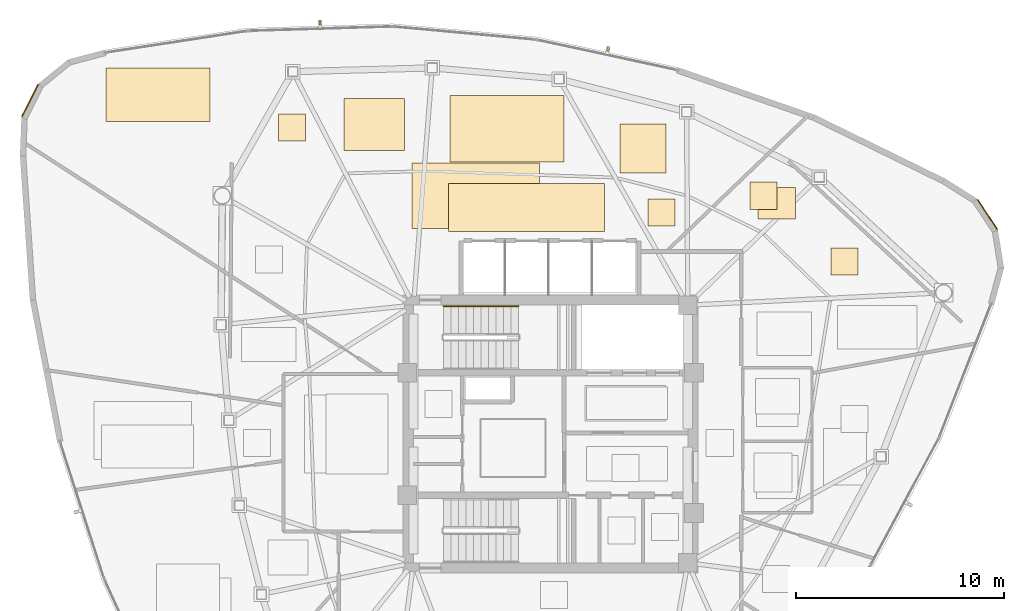
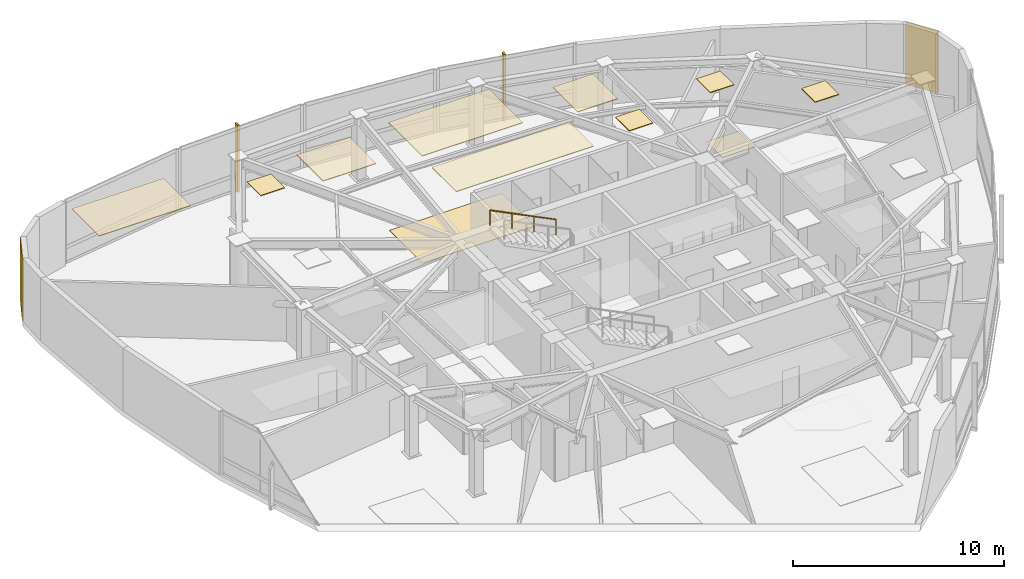
# One storey, part 14 of 14: 13 coverings, 2 shading devices, 1 railing.
"""IFC4 building model written with IfcOpenShell, lengths in metres."""

import ifcopenshell
import ifcopenshell.guid

model = None  # the IFC model being written
_history = None  # IfcOwnerHistory: only IFC2X3 demands one
_inside = {}  # id of a spatial element -> (the spatial element, [elements in it])
_under = {}  # id of a project, library or spatial element -> (it, [spatial elements below it])
_declared = {}  # id of a project -> (the project, [libraries it declares])
_typed = {}  # id of a type object -> (the type object, [elements of that type])
_made_of = {}  # id of a material, layer set ... -> (it, [elements and type objects made of it])


def new_model(schema):
    """Start an empty IFC model of exactly this schema.

    Asked for "IFC4X3", IfcOpenShell would pick the latest addendum, in which some entities
    have other attributes; the version numbers below select the first issue.
    IFC2X3 requires an IfcOwnerHistory on every rooted entity: one is made here for all.
    """
    global model, _history
    if schema == "IFC4X3":
        model = ifcopenshell.file(schema_version=(4, 3, 0, 0))
    else:
        model = ifcopenshell.file(schema=schema)
    _inside.clear()
    _under.clear()
    _declared.clear()
    _typed.clear()
    _made_of.clear()
    _history = None
    if model.schema == "IFC2X3":
        org = make("IfcOrganization", Name="unknown")
        user = make(
            "IfcPersonAndOrganization",
            ThePerson=make("IfcPerson", FamilyName="unknown"),
            TheOrganization=org,
        )
        app = make(
            "IfcApplication",
            ApplicationDeveloper=org,
            Version="unknown",
            ApplicationFullName="unknown",
            ApplicationIdentifier="unknown",
        )
        _history = make(
            "IfcOwnerHistory",
            OwningUser=user,
            OwningApplication=app,
            ChangeAction="ADDED",
            CreationDate=0,
        )
    return model


def make(cls, **values):
    """One entity of the class cls with the attributes given. An attribute that is None is left unset."""
    return model.create_entity(
        cls, **{name: value for name, value in values.items() if value is not None}
    )


def rooted(cls, **values):
    """An entity with a GlobalId (a new one), such as an element, a storey or a relation."""
    return make(cls, GlobalId=ifcopenshell.guid.new(), OwnerHistory=_history, **values)


def si_unit(unit_type, name, prefix=None):
    """IfcSIUnit, for example si_unit("LENGTHUNIT", "METRE", prefix="MILLI")."""
    return make("IfcSIUnit", UnitType=unit_type, Prefix=prefix, Name=name)


def assignment(units):
    """IfcUnitAssignment: the units of a project."""
    return None if units is None else make("IfcUnitAssignment", Units=units)


def point(xyz):
    """IfcCartesianPoint."""
    return None if xyz is None else make("IfcCartesianPoint", Coordinates=xyz)


def direction(xyz):
    """IfcDirection."""
    return None if xyz is None else make("IfcDirection", DirectionRatios=xyz)


def frame(location, z_axis=None, x_axis=None):
    """IfcAxis2Placement3D, a coordinate frame: its origin and axes. An axis left out is left unset."""
    return make(
        "IfcAxis2Placement3D",
        Location=point(location),
        Axis=direction(z_axis),
        RefDirection=direction(x_axis),
    )


def frame_2d(location, x_axis=None):
    """IfcAxis2Placement2D, a coordinate frame in the plane: its origin and x axis."""
    return make(
        "IfcAxis2Placement2D", Location=point(location), RefDirection=direction(x_axis)
    )


def origin():
    """The frame at (0, 0, 0) with its axes left unset."""
    return frame((0.0, 0.0, 0.0))


def origin_2d():
    """The frame at (0, 0) in the plane with its x axis left unset."""
    return frame_2d((0.0, 0.0))


def place(relative_to, where):
    """IfcLocalPlacement: puts the frame where relative to a parent placement (None: the world)."""
    return make(
        "IfcLocalPlacement", PlacementRelTo=relative_to, RelativePlacement=where
    )


def context(
    kind, dimensions, precision=None, world=None, true_north=None, identifier=None
):
    """IfcGeometricRepresentationContext, for example the 3D "Model" context."""
    return make(
        "IfcGeometricRepresentationContext",
        ContextIdentifier=identifier,
        ContextType=kind,
        CoordinateSpaceDimension=dimensions,
        Precision=precision,
        WorldCoordinateSystem=world,
        TrueNorth=true_north,
    )


def subcontext(parent, identifier, kind, view, scale=None):
    """IfcGeometricRepresentationSubContext, for example "Body" below "Model"."""
    return make(
        "IfcGeometricRepresentationSubContext",
        ContextIdentifier=identifier,
        ContextType=kind,
        ParentContext=parent,
        TargetScale=scale,
        TargetView=view,
    )


def project(units=None, contexts=None):
    """IfcProject with its units and contexts."""
    return rooted(
        "IfcProject",
        Name="project",
        RepresentationContexts=contexts,
        UnitsInContext=assignment(units),
    )


def spatial(cls, under=None, at=None, **own):
    """A site, building, storey or space (cls), placed at a placement, below another one or the project."""
    s = rooted(cls, ObjectPlacement=at, **own)
    if under is not None:
        _under.setdefault(under.id(), (under, []))[1].append(s)
    return s


def polyline(points):
    """IfcPolyline through the points."""
    return make("IfcPolyline", Points=[point(p) for p in points])


def profile(cls, at=None, kind="AREA", **sizes):
    """A parametric profile (cls). Its sizes go by their IFC names, for example OverallWidth=200.0."""
    return make(cls, ProfileType=kind, Position=at, **sizes)


def rectangle(**sizes):
    """IfcRectangleProfileDef."""
    return profile("IfcRectangleProfileDef", **sizes)


def outline(outer, holes=None, kind="AREA"):
    """IfcArbitraryClosedProfileDef: a profile drawn as a closed curve; with holes, ...WithVoids."""
    if holes is None:
        return make("IfcArbitraryClosedProfileDef", ProfileType=kind, OuterCurve=outer)
    return make(
        "IfcArbitraryProfileDefWithVoids",
        ProfileType=kind,
        OuterCurve=outer,
        InnerCurves=holes,
    )


def extrude(swept, where, along, depth):
    """IfcExtrudedAreaSolid: the profile swept, set in the frame where, extruded along a direction by depth."""
    return make(
        "IfcExtrudedAreaSolid",
        SweptArea=swept,
        Position=where,
        ExtrudedDirection=direction(along),
        Depth=depth,
    )


def shape(context_of_items, identifier, shape_type, items):
    """IfcShapeRepresentation: the items that make up one representation, for example the "Body"."""
    return make(
        "IfcShapeRepresentation",
        ContextOfItems=context_of_items,
        RepresentationIdentifier=identifier,
        RepresentationType=shape_type,
        Items=items,
    )


def source(mapping_origin, context_of_items, identifier, shape_type, items):
    """IfcRepresentationMap: a shape defined once, which mapped items show again and again."""
    return make(
        "IfcRepresentationMap",
        MappingOrigin=mapping_origin,
        MappedRepresentation=shape(context_of_items, identifier, shape_type, items),
    )


def transform(
    local_origin,
    x_axis=None,
    y_axis=None,
    z_axis=None,
    scale=None,
    scale2=None,
    scale3=None,
    uniform=True,
):
    """IfcCartesianTransformationOperator3D, or its non-uniform kind. x_axis, y_axis, z_axis: its Axis1, 2, 3."""
    if uniform:
        return make(
            "IfcCartesianTransformationOperator3D",
            Axis1=direction(x_axis),
            Axis2=direction(y_axis),
            LocalOrigin=point(local_origin),
            Scale=scale,
            Axis3=direction(z_axis),
        )
    return make(
        "IfcCartesianTransformationOperator3DnonUniform",
        Axis1=direction(x_axis),
        Axis2=direction(y_axis),
        LocalOrigin=point(local_origin),
        Scale=scale,
        Axis3=direction(z_axis),
        Scale2=scale2,
        Scale3=scale3,
    )


def mapped(mapping_source, mapping_target):
    """IfcMappedItem: shows the shape of a source again, moved by a transform."""
    return make(
        "IfcMappedItem", MappingSource=mapping_source, MappingTarget=mapping_target
    )


def material(Name=None, Category=None):
    """IfcMaterial."""
    return make("IfcMaterial", Name=Name, Category=Category)


def layer(
    of_material, thickness, ventilated=None, Name=None, Category=None, Priority=None
):
    """IfcMaterialLayer: one layer of a wall or slab, of a material (None: an air gap)."""
    return make(
        "IfcMaterialLayer",
        Material=of_material,
        LayerThickness=thickness,
        IsVentilated=ventilated,
        Name=Name,
        Category=Category,
        Priority=Priority,
    )


def layer_set(layers, Name=None):
    """IfcMaterialLayerSet."""
    return make("IfcMaterialLayerSet", MaterialLayers=layers, LayerSetName=Name)


def made_of(thing, what):
    """Note that an element or type object is made of a material, layer set ...; save() writes the relation."""
    if what is not None:
        _made_of.setdefault(what.id(), (what, []))[1].append(thing)
    return thing


def type_object(cls, material=None, **own):
    """A type object (cls), such as IfcWallType, which elements share."""
    return made_of(rooted(cls, **own), material)


def type_shapes(of_type, sources):
    """Give a type object the sources (RepresentationMaps) that its elements show as mapped items."""
    of_type.RepresentationMaps = sources


def element(
    cls,
    number,
    at=None,
    inside=None,
    cuts=None,
    type_object=None,
    material=None,
    context=None,
    identifier="Body",
    shape_type=None,
    held_by="IfcProductDefinitionShape",
    body=None,
    shapes=None,
    **own,
):
    """One element of the class cls, such as IfcWall. Its Tag is "e" and its number.

    at: its placement. inside: the storey or other place that contains it. cuts: it is an
    opening in that element (IfcRelVoidsElement). A single representation is given by context,
    identifier, shape_type and body (its items); several are given by shapes. held_by: the class
    of the entity that holds the representations. save() writes the other relations.
    """
    e = rooted(cls, Tag="e%d" % number, ObjectPlacement=at, **own)
    if body is not None:
        shapes = [shape(context, identifier, shape_type, body)]
    if shapes is not None:
        e.Representation = make(held_by, Representations=shapes)
    if inside is not None:
        _inside.setdefault(inside.id(), (inside, []))[1].append(e)
    if cuts is not None:
        rooted(
            "IfcRelVoidsElement", RelatingBuildingElement=cuts, RelatedOpeningElement=e
        )
    if type_object is not None:
        _typed.setdefault(type_object.id(), (type_object, []))[1].append(e)
    return made_of(e, material)


def aggregate(whole, parts):
    """IfcRelAggregates: a whole, such as a stair, and the parts it consists of."""
    return rooted("IfcRelAggregates", RelatingObject=whole, RelatedObjects=parts)


def save(model, path):
    """Write the relations noted so far, then the file.

    IfcRelAggregates (storeys below a building ...), IfcRelContainedInSpatialStructure (elements
    in a storey), IfcRelDefinesByType, IfcRelAssociatesMaterial and IfcRelDeclares: one each for
    every whole, place, type object, material and project.
    """
    for whole, parts in _under.values():
        aggregate(whole, parts)
    for where, things in _inside.values():
        rooted(
            "IfcRelContainedInSpatialStructure",
            RelatedElements=things,
            RelatingStructure=where,
        )
    for kind, things in _typed.values():
        rooted("IfcRelDefinesByType", RelatedObjects=things, RelatingType=kind)
    for what, things in _made_of.values():
        rooted("IfcRelAssociatesMaterial", RelatedObjects=things, RelatingMaterial=what)
    for by, libraries in _declared.values():
        rooted("IfcRelDeclares", RelatingContext=by, RelatedDefinitions=libraries)
    model.write(path)


model = new_model("IFC4")

# Units and contexts
model_context = context("Model", 3, precision=1e-05, world=origin(), true_north=direction((0.0, 1.0)))
body_context = subcontext(model_context, "Body", "Model", "MODEL_VIEW")
ifc_project = project(units=[si_unit("LENGTHUNIT", "METRE"), si_unit("AREAUNIT", "SQUARE_METRE"), si_unit("VOLUMEUNIT", "CUBIC_METRE"), si_unit("PLANEANGLEUNIT", "RADIAN"), si_unit("MASSUNIT", "GRAM", prefix="KILO")], contexts=[model_context])

# Site, building, storey
site_placement = place(None, origin())
site = spatial("IfcSite", under=ifc_project, at=site_placement, CompositionType="ELEMENT")
building_placement = place(site_placement, origin())
building = spatial("IfcBuilding", under=site, at=building_placement, Name="Tavelor Broadcast Tower", CompositionType="ELEMENT")
storey_placement = place(building_placement, frame((0.0, 0.0, 257.699951171875)))
storey = spatial("IfcBuildingStorey", under=building, at=storey_placement, Name="L61", CompositionType="ELEMENT", Elevation=257.699951171875)

# Coverings
ifc_material_1 = material(Name="Copper-Bronze Anodized Aluminium", Category="aluminium")
ifc_layer_1 = layer(ifc_material_1, 0.050048828125)
ifc_layer_set_1 = layer_set([ifc_layer_1], Name="Copper-Bronze Anodized Aluminium")
covering_type_1 = type_object("IfcCoveringType", Name="Champagne-Bronze Corner Pier Metal Cladding 50 mm", PredefinedType="CLADDING", material=ifc_layer_set_1)
for number, where, z_axis, x_axis, name in (
    (1, (24.9404296875, 61.046142578125, 0.02001953125), (0.0, 0.0, 1.0), (-0.446978620671, -0.894544639838, 0.0), "L61 Champagne-Bronze Corner Cladding 03"),
    (2, (71.026123046875, 55.5615234375, 0.02001953125), (0.0, 0.0, 1.0), (-0.551209072583, 0.834367160369, 0.0), "L61 Champagne-Bronze Corner Cladding 23"),
):
    element("IfcCovering", number, at=place(storey_placement, frame(where, z_axis=z_axis, x_axis=x_axis)), inside=storey, type_object=covering_type_1, Name=name, PredefinedType="CLADDING", context=body_context, shape_type="SweptSolid", body=[
        extrude(rectangle(XDim=1.730224609375, YDim=0.050048828125, at=origin_2d()), origin(), (0.0, 0.0, 1.0), 3.610107421875),
    ])

# Railing
ifc_material_2 = material(Name="Steel S355", Category="steel")
railing_type = type_object("IfcRailingType", Name="Continuous Brushed Stainless Handrail 900 mm", PredefinedType="HANDRAIL", material=ifc_material_2)
railing_placement = place(storey_placement, frame((48.449951171875, 51.14990234375, 2.154541015625)))
element("IfcRailing", 3, at=railing_placement, inside=storey, type_object=railing_type, Name="L61 ST1 stair handrail 2", PredefinedType="HANDRAIL", context=body_context, shape_type="SweptSolid", body=[
    extrude(rectangle(XDim=0.048095703125, YDim=0.048095703125, at=origin_2d()), frame((0.0, 0.0, 0.8759765625), z_axis=(-0.894875846893, 0.0, 0.446315156192), x_axis=(0.0, -1.0, 0.0)), (0.0, 0.0, 1.0), 4.022705078125),
    extrude(rectangle(XDim=0.0419921875, YDim=0.0419921875, at=origin_2d()), origin(), (0.0, 0.0, 1.0), 0.851806640625),
    extrude(rectangle(XDim=0.0419921875, YDim=0.0419921875, at=origin_2d()), frame((-1.199951171875, 0.0, 0.598388671875)), (0.0, 0.0, 1.0), 0.851806640625),
    extrude(rectangle(XDim=0.0419921875, YDim=0.0419921875, at=origin_2d()), frame((-2.39990234375, 0.0, 1.197021484375)), (0.0, 0.0, 1.0), 0.851806640625),
    extrude(rectangle(XDim=0.0419921875, YDim=0.0419921875, at=origin_2d()), frame((-3.599853515625, 0.0, 1.79541015625)), (0.0, 0.0, 1.0), 0.851806640625),
])

# Coverings
ifc_material_3 = material(Name="Acoustic Nylon Carpet Tile")
ifc_layer_2 = layer(ifc_material_3, 0.02001953125)
ifc_layer_set_2 = layer_set([ifc_layer_2], Name="Acoustic Nylon Carpet Tile")
covering_type_2 = type_object("IfcCoveringType", Name="Heavy-Duty Acoustic Broadcast Carpet Tile 20 mm", PredefinedType="FLOORING", material=ifc_layer_set_2)
covering_1_placement = place(storey_placement, origin())
element("IfcCovering", 4, at=covering_1_placement, inside=storey, type_object=covering_type_2, Name="L61 Broadcast Floor Finish 0906", PredefinedType="FLOORING", context=body_context, shape_type="SweptSolid", body=[
    extrude(outline(polyline([(43.328857421875, 54.8994140625), (49.46923828125, 54.8994140625), (49.46923828125, 58.0419921875), (43.328857421875, 58.0419921875), (43.328857421875, 54.8994140625)])), origin(), (0.0, 0.0, 1.0), 0.02001953125),
])
covering_2_placement = place(storey_placement, origin())
element("IfcCovering", 5, at=covering_2_placement, inside=storey, type_object=covering_type_2, Name="L61 Broadcast Floor Finish 0907", PredefinedType="FLOORING", context=body_context, shape_type="SweptSolid", body=[
    extrude(outline(polyline([(59.9755859375, 55.354248046875), (61.781982421875, 55.354248046875), (61.781982421875, 56.871337890625), (59.9755859375, 56.871337890625), (59.9755859375, 55.354248046875)])), origin(), (0.0, 0.0, 1.0), 0.02001953125),
])
ifc_material_4 = material(Name="Acoustic Mineral Fibre Tile")
ifc_layer_3 = layer(ifc_material_4, 0.0400390625)
ifc_layer_set_3 = layer_set([ifc_layer_3], Name="Acoustic Mineral Fibre Tile")
covering_type_3 = type_object("IfcCoveringType", Name="Suspended Acoustic Mineral-Fibre Office Ceiling 40 mm", PredefinedType="CEILING", material=ifc_layer_set_3)
covering_3_placement = place(storey_placement, frame((0.0, 0.0, 3.610107421875)))
element("IfcCovering", 6, at=covering_3_placement, inside=storey, type_object=covering_type_3, Name="L61 Suspended Acoustic Ceiling 2394", PredefinedType="CEILING", context=body_context, shape_type="SweptSolid", body=[
    extrude(outline(polyline([(28.59765625, 60.037109375), (33.613525390625, 60.037109375), (33.613525390625, 62.622314453125), (28.59765625, 62.622314453125), (28.59765625, 60.037109375)])), origin(), (0.0, 0.0, 1.0), 0.0400390625),
])
covering_4_placement = place(storey_placement, frame((0.0, 0.0, 3.610107421875)))
element("IfcCovering", 7, at=covering_4_placement, inside=storey, type_object=covering_type_3, Name="L61 Suspended Acoustic Ceiling 2395", PredefinedType="CEILING", context=body_context, shape_type="SweptSolid", body=[
    extrude(outline(polyline([(54.68359375, 54.99951171875), (55.983642578125, 54.99951171875), (55.983642578125, 56.29931640625), (54.68359375, 56.29931640625), (54.68359375, 54.99951171875)])), origin(), (0.0, 0.0, 1.0), 0.0400390625),
])
covering_5_placement = place(storey_placement, frame((0.0, 0.0, 3.610107421875)))
element("IfcCovering", 8, at=covering_5_placement, inside=storey, type_object=covering_type_3, Name="L61 Suspended Acoustic Ceiling 2396", PredefinedType="CEILING", context=body_context, shape_type="SweptSolid", body=[
    extrude(outline(polyline([(45.0771484375, 54.745849609375), (52.59130859375, 54.745849609375), (52.59130859375, 57.0673828125), (45.0771484375, 57.0673828125), (45.0771484375, 54.745849609375)])), origin(), (0.0, 0.0, 1.0), 0.0400390625),
])
covering_6_placement = place(storey_placement, frame((0.0, 0.0, 3.610107421875)))
element("IfcCovering", 9, at=covering_6_placement, inside=storey, type_object=covering_type_3, Name="L61 Suspended Acoustic Ceiling 2398", PredefinedType="CEILING", context=body_context, shape_type="SweptSolid", body=[
    extrude(outline(polyline([(36.900390625, 59.094482421875), (38.2001953125, 59.094482421875), (38.2001953125, 60.39453125), (36.900390625, 60.39453125), (36.900390625, 59.094482421875)])), origin(), (0.0, 0.0, 1.0), 0.0400390625),
])
covering_7_placement = place(storey_placement, frame((0.0, 0.0, 3.610107421875)))
element("IfcCovering", 10, at=covering_7_placement, inside=storey, type_object=covering_type_3, Name="L61 Suspended Acoustic Ceiling 2399", PredefinedType="CEILING", context=body_context, shape_type="SweptSolid", body=[
    extrude(outline(polyline([(53.34716796875, 57.56591796875), (55.541259765625, 57.56591796875), (55.541259765625, 59.923583984375), (53.34716796875, 59.923583984375), (53.34716796875, 57.56591796875)])), origin(), (0.0, 0.0, 1.0), 0.0400390625),
])
covering_8_placement = place(storey_placement, frame((0.0, 0.0, 3.610107421875)))
element("IfcCovering", 11, at=covering_8_placement, inside=storey, type_object=covering_type_3, Name="L61 Suspended Acoustic Ceiling 2400", PredefinedType="CEILING", context=body_context, shape_type="SweptSolid", body=[
    extrude(outline(polyline([(45.152587890625, 58.102783203125), (50.654541015625, 58.102783203125), (50.654541015625, 61.3037109375), (45.152587890625, 61.3037109375), (45.152587890625, 58.102783203125)])), origin(), (0.0, 0.0, 1.0), 0.0400390625),
])
covering_9_placement = place(storey_placement, frame((0.0, 0.0, 3.610107421875)))
element("IfcCovering", 12, at=covering_9_placement, inside=storey, type_object=covering_type_3, Name="L61 Suspended Acoustic Ceiling 2401", PredefinedType="CEILING", context=body_context, shape_type="SweptSolid", body=[
    extrude(outline(polyline([(40.0498046875, 58.655029296875), (42.9560546875, 58.655029296875), (42.9560546875, 61.15478515625), (40.0498046875, 61.15478515625), (40.0498046875, 58.655029296875)])), origin(), (0.0, 0.0, 1.0), 0.0400390625),
])
covering_10_placement = place(storey_placement, frame((0.0, 0.0, 3.610107421875)))
element("IfcCovering", 13, at=covering_10_placement, inside=storey, type_object=covering_type_3, Name="L61 Suspended Acoustic Ceiling 2402", PredefinedType="CEILING", context=body_context, shape_type="SweptSolid", body=[
    extrude(outline(polyline([(59.59033203125, 55.8173828125), (60.890380859375, 55.8173828125), (60.890380859375, 57.1171875), (59.59033203125, 57.1171875), (59.59033203125, 55.8173828125)])), origin(), (0.0, 0.0, 1.0), 0.0400390625),
])
covering_11_placement = place(storey_placement, frame((0.0, 0.0, 3.610107421875)))
element("IfcCovering", 14, at=covering_11_placement, inside=storey, type_object=covering_type_3, Name="L61 Suspended Acoustic Ceiling 2403", PredefinedType="CEILING", context=body_context, shape_type="SweptSolid", body=[
    extrude(outline(polyline([(63.491455078125, 52.640869140625), (64.79150390625, 52.640869140625), (64.79150390625, 53.94091796875), (63.491455078125, 53.94091796875), (63.491455078125, 52.640869140625)])), origin(), (0.0, 0.0, 1.0), 0.0400390625),
])

# Shading devices
ifc_material_5 = material(Name="Kiln-Fired Glazed Terracotta", Category="masonry")
shading_device_type = type_object("IfcShadingDeviceType", Name="Extruded Terracotta Baguette Sun-Screen 110x240", PredefinedType="JALOUSIE", material=ifc_material_5)
shared_shape = source(origin(), body_context, "Body", "SweptSolid", [
    extrude(rectangle(XDim=0.110107421875, YDim=0.239990234375, at=origin_2d()), origin(), (0.0, 0.0, 1.0), 3.889892578125),
])
type_shapes(shading_device_type, [shared_shape])
for number, where, z_axis, x_axis, name in (
    (15, (52.763671875, 63.537353515625, -0.259765625), (0.0, 0.0, 1.0), (-0.977489601007, 0.210983601077, 0.0), "L61 Terracotta Baguette Fin 641"),
    (16, (38.9013671875, 64.804931640625, -0.259765625), (0.0, 0.0, 1.0), (-0.999544189894, -0.030189608314, 0.0), "L61 Terracotta Baguette Fin 642"),
):
    element("IfcShadingDevice", number, at=place(storey_placement, frame(where, z_axis=z_axis, x_axis=x_axis)), inside=storey, type_object=shading_device_type, Name=name, PredefinedType="JALOUSIE", context=body_context, shape_type="MappedRepresentation", body=[
        mapped(shared_shape, transform((0.0, 0.0, 0.0), scale=1.0)),
    ])

save(model, "model.ifc")
